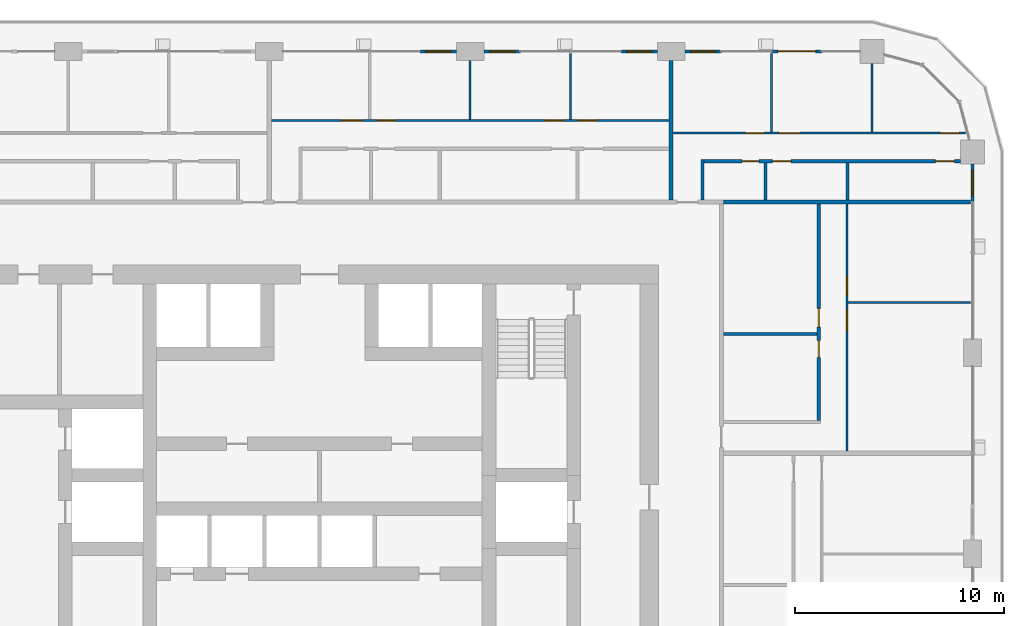
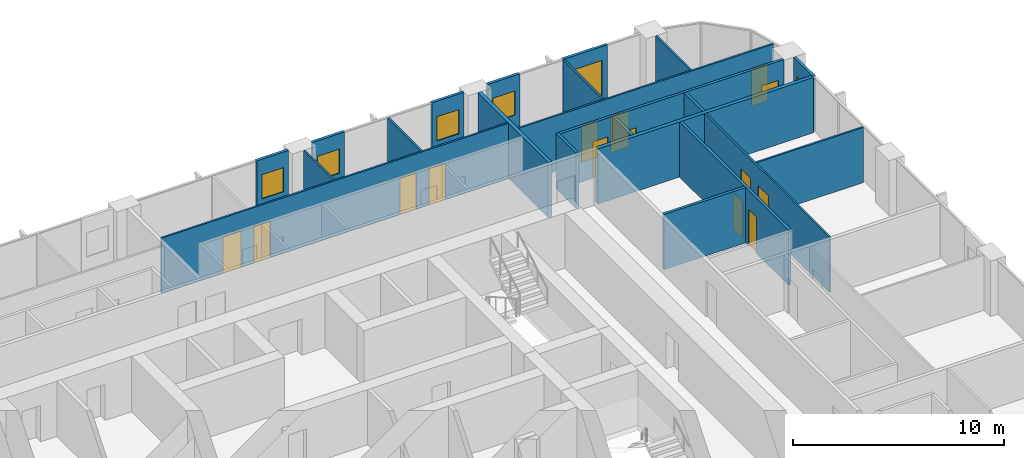
# One storey, part 15 of 22: 22 walls, 15 doors, 5 windows, 20 openings.
"""IFC4 building model written with IfcOpenShell, lengths in metres."""

from ifc_helpers import new_model, si_unit, direction, frame, frame_2d, origin, place, context, subcontext, project, spatial, rectangle, extrude, material, layer, layer_set, type_object, element, fill, save


model = new_model("IFC4")

# Units and contexts
model_context = context("Model", 3, precision=1e-05, world=origin(), true_north=direction((0.0, 1.0)))
body_context = subcontext(model_context, "Body", "Model", "MODEL_VIEW")
ifc_project = project(units=[si_unit("LENGTHUNIT", "METRE"), si_unit("AREAUNIT", "SQUARE_METRE"), si_unit("VOLUMEUNIT", "CUBIC_METRE"), si_unit("PLANEANGLEUNIT", "RADIAN"), si_unit("MASSUNIT", "GRAM", prefix="KILO")], contexts=[model_context])

# Site, building, storey
site_placement = place(None, origin())
site = spatial("IfcSite", under=ifc_project, at=site_placement, CompositionType="ELEMENT")
building_placement = place(site_placement, origin())
building = spatial("IfcBuilding", under=site, at=building_placement, Name="Madar Terraces", CompositionType="ELEMENT")
storey_placement = place(building_placement, frame((0.0, 0.0, 62.800048828125)))
storey = spatial("IfcBuildingStorey", under=building, at=storey_placement, Name="L15", CompositionType="ELEMENT", Elevation=62.800048828125)

# Wall, opening, window
ifc_material_1 = material(Name="Aluminium composite panel, black, over insulated backing", Category="aluminium")
ifc_layer_1 = layer(ifc_material_1, 0.14990234375)
ifc_layer_set_1 = layer_set([ifc_layer_1], Name="Facade bay panel 150")
wall_type_1 = type_object("IfcWallType", Name="Facade bay panel 150", PredefinedType="SOLIDWALL", material=ifc_layer_set_1)
wall_1_placement = place(storey_placement, frame((62.39990234375, 40.800048828125, 0.0), z_axis=(0.0, 0.0, 1.0), x_axis=(0.0, 1.0, 0.0)))
wall_1 = element("IfcWall", 1, at=wall_1_placement, inside=storey, type_object=wall_type_1, Name="Facade bay panel", PredefinedType="SOLIDWALL", context=body_context, shape_type="SweptSolid", body=[
    extrude(rectangle(XDim=1.824951171875, YDim=0.14990234375, at=frame_2d((0.91259765625, 0.0))), origin(), (0.0, 0.0, 1.0), 3.199951171875),
])
opening_1_placement = place(wall_1_placement, frame((0.3125, 0.0, 0.89990234375)))
opening_1 = element("IfcOpeningElement", 2, at=opening_1_placement, cuts=wall_1, Name="Opening W1", PredefinedType="OPENING", context=body_context, shape_type="SweptSolid", body=[
    extrude(rectangle(XDim=1.199951171875, YDim=1.39990234375, at=frame_2d((0.60009765625, 0.699951171875))), frame((0.0, 0.0849609375, 0.0), z_axis=(0.0, -1.0, 0.0), x_axis=(1.0, 0.0, 0.0)), (0.0, 0.0, 1.0), 0.169921875),
])
ifc_material_2 = material(Name="Glass, clear, with black aluminium frame", Category="aluminium")
window_type = type_object("IfcWindowType", Name="Vent window 1200 x 1400", PartitioningType="SINGLE_PANEL", PredefinedType="WINDOW", material=ifc_material_2)
window_1_placement = place(opening_1_placement, origin())
window_1 = element("IfcWindow", 3, at=window_1_placement, inside=storey, type_object=window_type, Name="Operable vent window", OverallHeight=1.39990234375, OverallWidth=1.199951171875, PartitioningType="SINGLE_PANEL", PredefinedType="WINDOW", context=body_context, shape_type="SweptSolid", body=[
    extrude(rectangle(XDim=1.199951171875, YDim=1.39990234375, at=frame_2d((0.60009765625, 0.699951171875))), frame((0.0, 0.030029296875, 0.0), z_axis=(0.0, -1.0, 0.0), x_axis=(1.0, 0.0, 0.0)), (0.0, 0.0, 1.0), 0.06005859375),
])
fill(opening_1, window_1)

# Wall, opening, door
wall_2_placement = place(storey_placement, frame((55.199951171875, 48.0, 0.0), z_axis=(0.0, 0.0, 1.0), x_axis=(-1.0, 0.0, 0.0)))
wall_2 = element("IfcWall", 4, at=wall_2_placement, inside=storey, type_object=wall_type_1, Name="Facade bay panel", PredefinedType="SOLIDWALL", context=body_context, shape_type="SweptSolid", body=[
    extrude(rectangle(XDim=2.39990234375, YDim=0.14990234375, at=frame_2d((1.199951171875, 0.0))), origin(), (0.0, 0.0, 1.0), 3.199951171875),
])
opening_2_placement = place(wall_2_placement, frame((0.300048828125, 0.0, 0.0)))
opening_2 = element("IfcOpeningElement", 5, at=opening_2_placement, cuts=wall_2, Name="Opening ED1", PredefinedType="OPENING", context=body_context, shape_type="SweptSolid", body=[
    extrude(rectangle(XDim=1.800048828125, YDim=2.39990234375, at=frame_2d((0.89990234375, 1.199951171875))), frame((0.0, 0.0849609375, 0.0), z_axis=(0.0, -1.0, 0.0), x_axis=(1.0, 0.0, 0.0)), (0.0, 0.0, 1.0), 0.169921875),
])
ifc_material_3 = material(Name="Glass, clear, with black aluminium frame", Category="aluminium")
door_type_1 = type_object("IfcDoorType", Name="Balcony and terrace sliding door 1800 x 2400", OperationType="SLIDING_TO_LEFT", PredefinedType="DOOR", material=ifc_material_3)
door_1_placement = place(opening_2_placement, origin())
door_1 = element("IfcDoor", 6, at=door_1_placement, inside=storey, type_object=door_type_1, Name="Balcony door", OperationType="SLIDING_TO_RIGHT", OverallHeight=2.39990234375, OverallWidth=1.800048828125, PredefinedType="DOOR", context=body_context, shape_type="SweptSolid", body=[
    extrude(rectangle(XDim=1.800048828125, YDim=2.39990234375, at=frame_2d((0.89990234375, 1.199951171875))), frame((0.0, 0.02490234375, 0.0), z_axis=(0.0, -1.0, 0.0), x_axis=(1.0, 0.0, 0.0)), (0.0, 0.0, 1.0), 0.050048828125),
])
fill(opening_2, door_1)

# Wall, opening, window
wall_3_placement = place(storey_placement, frame((50.39990234375, 48.0, 0.0), z_axis=(0.0, 0.0, 1.0), x_axis=(-1.0, 0.0, 0.0)))
wall_3 = element("IfcWall", 7, at=wall_3_placement, inside=storey, type_object=wall_type_1, Name="Facade bay panel", PredefinedType="SOLIDWALL", context=body_context, shape_type="SweptSolid", body=[
    extrude(rectangle(XDim=1.75, YDim=0.14990234375, at=frame_2d((0.875, 0.0))), origin(), (0.0, 0.0, 1.0), 3.199951171875),
])
opening_3_placement = place(wall_3_placement, frame((0.27490234375, 0.0, 0.89990234375)))
opening_3 = element("IfcOpeningElement", 8, at=opening_3_placement, cuts=wall_3, Name="Opening W1", PredefinedType="OPENING", context=body_context, shape_type="SweptSolid", body=[
    extrude(rectangle(XDim=1.199951171875, YDim=1.39990234375, at=frame_2d((0.60009765625, 0.699951171875))), frame((0.0, 0.0849609375, 0.0), z_axis=(0.0, -1.0, 0.0), x_axis=(1.0, 0.0, 0.0)), (0.0, 0.0, 1.0), 0.169921875),
])
window_2_placement = place(opening_3_placement, origin())
window_2 = element("IfcWindow", 9, at=window_2_placement, inside=storey, type_object=window_type, Name="Operable vent window", OverallHeight=1.39990234375, OverallWidth=1.199951171875, PartitioningType="SINGLE_PANEL", PredefinedType="WINDOW", context=body_context, shape_type="SweptSolid", body=[
    extrude(rectangle(XDim=1.199951171875, YDim=1.39990234375, at=frame_2d((0.60009765625, 0.699951171875))), frame((0.0, 0.030029296875, 0.0), z_axis=(0.0, -1.0, 0.0), x_axis=(1.0, 0.0, 0.0)), (0.0, 0.0, 1.0), 0.06005859375),
])
fill(opening_3, window_2)

wall_4_placement = place(storey_placement, frame((47.35009765625, 48.0, 0.0), z_axis=(0.0, 0.0, 1.0), x_axis=(-1.0, 0.0, 0.0)))
wall_4 = element("IfcWall", 10, at=wall_4_placement, inside=storey, type_object=wall_type_1, Name="Facade bay panel", PredefinedType="SOLIDWALL", context=body_context, shape_type="SweptSolid", body=[
    extrude(rectangle(XDim=1.75, YDim=0.14990234375, at=frame_2d((0.875, 0.0))), origin(), (0.0, 0.0, 1.0), 3.199951171875),
])
opening_4_placement = place(wall_4_placement, frame((0.27490234375, 0.0, 0.89990234375)))
opening_4 = element("IfcOpeningElement", 11, at=opening_4_placement, cuts=wall_4, Name="Opening W1", PredefinedType="OPENING", context=body_context, shape_type="SweptSolid", body=[
    extrude(rectangle(XDim=1.199951171875, YDim=1.39990234375, at=frame_2d((0.60009765625, 0.699951171875))), frame((0.0, 0.0849609375, 0.0), z_axis=(0.0, -1.0, 0.0), x_axis=(1.0, 0.0, 0.0)), (0.0, 0.0, 1.0), 0.169921875),
])
window_3_placement = place(opening_4_placement, origin())
window_3 = element("IfcWindow", 12, at=window_3_placement, inside=storey, type_object=window_type, Name="Operable vent window", OverallHeight=1.39990234375, OverallWidth=1.199951171875, PartitioningType="SINGLE_PANEL", PredefinedType="WINDOW", context=body_context, shape_type="SweptSolid", body=[
    extrude(rectangle(XDim=1.199951171875, YDim=1.39990234375, at=frame_2d((0.60009765625, 0.699951171875))), frame((0.0, 0.030029296875, 0.0), z_axis=(0.0, -1.0, 0.0), x_axis=(1.0, 0.0, 0.0)), (0.0, 0.0, 1.0), 0.06005859375),
])
fill(opening_4, window_3)

wall_5_placement = place(storey_placement, frame((40.800048828125, 48.0, 0.0), z_axis=(0.0, 0.0, 1.0), x_axis=(-1.0, 0.0, 0.0)))
wall_5 = element("IfcWall", 13, at=wall_5_placement, inside=storey, type_object=wall_type_1, Name="Facade bay panel", PredefinedType="SOLIDWALL", context=body_context, shape_type="SweptSolid", body=[
    extrude(rectangle(XDim=1.75, YDim=0.14990234375, at=frame_2d((0.875, 0.0))), origin(), (0.0, 0.0, 1.0), 3.199951171875),
])
opening_5_placement = place(wall_5_placement, frame((0.27490234375, 0.0, 0.89990234375)))
opening_5 = element("IfcOpeningElement", 14, at=opening_5_placement, cuts=wall_5, Name="Opening W1", PredefinedType="OPENING", context=body_context, shape_type="SweptSolid", body=[
    extrude(rectangle(XDim=1.199951171875, YDim=1.39990234375, at=frame_2d((0.60009765625, 0.699951171875))), frame((0.0, 0.0849609375, 0.0), z_axis=(0.0, -1.0, 0.0), x_axis=(1.0, 0.0, 0.0)), (0.0, 0.0, 1.0), 0.169921875),
])
window_4_placement = place(opening_5_placement, origin())
window_4 = element("IfcWindow", 15, at=window_4_placement, inside=storey, type_object=window_type, Name="Operable vent window", OverallHeight=1.39990234375, OverallWidth=1.199951171875, PartitioningType="SINGLE_PANEL", PredefinedType="WINDOW", context=body_context, shape_type="SweptSolid", body=[
    extrude(rectangle(XDim=1.199951171875, YDim=1.39990234375, at=frame_2d((0.60009765625, 0.699951171875))), frame((0.0, 0.030029296875, 0.0), z_axis=(0.0, -1.0, 0.0), x_axis=(1.0, 0.0, 0.0)), (0.0, 0.0, 1.0), 0.06005859375),
])
fill(opening_5, window_4)

wall_6_placement = place(storey_placement, frame((37.75, 48.0, 0.0), z_axis=(0.0, 0.0, 1.0), x_axis=(-1.0, 0.0, 0.0)))
wall_6 = element("IfcWall", 16, at=wall_6_placement, inside=storey, type_object=wall_type_1, Name="Facade bay panel", PredefinedType="SOLIDWALL", context=body_context, shape_type="SweptSolid", body=[
    extrude(rectangle(XDim=1.75, YDim=0.14990234375, at=frame_2d((0.875, 0.0))), origin(), (0.0, 0.0, 1.0), 3.199951171875),
])
opening_6_placement = place(wall_6_placement, frame((0.27490234375, 0.0, 0.89990234375)))
opening_6 = element("IfcOpeningElement", 17, at=opening_6_placement, cuts=wall_6, Name="Opening W1", PredefinedType="OPENING", context=body_context, shape_type="SweptSolid", body=[
    extrude(rectangle(XDim=1.199951171875, YDim=1.39990234375, at=frame_2d((0.60009765625, 0.699951171875))), frame((0.0, 0.0849609375, 0.0), z_axis=(0.0, -1.0, 0.0), x_axis=(1.0, 0.0, 0.0)), (0.0, 0.0, 1.0), 0.169921875),
])
window_5_placement = place(opening_6_placement, origin())
window_5 = element("IfcWindow", 18, at=window_5_placement, inside=storey, type_object=window_type, Name="Operable vent window", OverallHeight=1.39990234375, OverallWidth=1.199951171875, PartitioningType="SINGLE_PANEL", PredefinedType="WINDOW", context=body_context, shape_type="SweptSolid", body=[
    extrude(rectangle(XDim=1.199951171875, YDim=1.39990234375, at=frame_2d((0.60009765625, 0.699951171875))), frame((0.0, 0.030029296875, 0.0), z_axis=(0.0, -1.0, 0.0), x_axis=(1.0, 0.0, 0.0)), (0.0, 0.0, 1.0), 0.06005859375),
])
fill(opening_6, window_5)

# Wall
ifc_material_4 = material(Name="Gypsum board on steel studs", Category="steel")
ifc_layer_2 = layer(ifc_material_4, 0.10009765625)
ifc_layer_set_2 = layer_set([ifc_layer_2], Name="Flat partition 100")
wall_type_2 = type_object("IfcWallType", Name="Flat partition 100", PredefinedType="PARTITIONING", material=ifc_layer_set_2)
wall_7_placement = place(storey_placement, frame((56.449951171875, 36.0, 0.0), z_axis=(0.0, 0.0, 1.0), x_axis=(1.0, 0.0, 0.0)))
element("IfcWall", 19, at=wall_7_placement, inside=storey, type_object=wall_type_2, Name="Flat partition 100", PredefinedType="PARTITIONING", context=body_context, shape_type="SweptSolid", body=[
    extrude(rectangle(XDim=5.85009765625, YDim=0.10009765625, at=frame_2d((2.925048828125, 0.0))), origin(), (0.0, 0.0, 1.0), 3.199951171875),
])

# Wall, openings, doors
wall_8_placement = place(storey_placement, frame((56.39990234375, 40.699951171875, 0.0), z_axis=(0.0, 0.0, 1.0), x_axis=(0.0, -1.0, 0.0)))
wall_8 = element("IfcWall", 20, at=wall_8_placement, inside=storey, type_object=wall_type_2, Name="Flat partition 100", PredefinedType="PARTITIONING", context=body_context, shape_type="SweptSolid", body=[
    extrude(rectangle(XDim=11.800048828125, YDim=0.10009765625, at=frame_2d((5.89990234375, 0.0))), origin(), (0.0, 0.0, 1.0), 3.199951171875),
])
opening_7_placement = place(wall_8_placement, frame((5.050048828125, 0.0, 0.0)))
opening_7 = element("IfcOpeningElement", 21, at=opening_7_placement, cuts=wall_8, Name="Opening D3", PredefinedType="OPENING", context=body_context, shape_type="SweptSolid", body=[
    extrude(rectangle(XDim=1.0, YDim=2.10009765625, at=frame_2d((0.5, 1.050048828125))), frame((0.0, 0.06005859375, 0.0), z_axis=(0.0, -1.0, 0.0), x_axis=(1.0, 0.0, 0.0)), (0.0, 0.0, 1.0), 0.1201171875),
])
opening_8_placement = place(wall_8_placement, frame((3.449951171875, 0.0, 0.0)))
opening_8 = element("IfcOpeningElement", 22, at=opening_8_placement, cuts=wall_8, Name="Opening D2", PredefinedType="OPENING", context=body_context, shape_type="SweptSolid", body=[
    extrude(rectangle(XDim=0.89990234375, YDim=2.10009765625, at=frame_2d((0.449951171875, 1.050048828125))), frame((0.0, 0.06005859375, 0.0), z_axis=(0.0, -1.0, 0.0), x_axis=(1.0, 0.0, 0.0)), (0.0, 0.0, 1.0), 0.1201171875),
])
ifc_material_5 = material(Name="Timber door leaf", Category="wood")
door_type_2 = type_object("IfcDoorType", Name="Flat living room door 1000", OperationType="NOTDEFINED", PredefinedType="DOOR", material=ifc_material_5)
door_2_placement = place(opening_7_placement, origin())
door_2 = element("IfcDoor", 23, at=door_2_placement, inside=storey, type_object=door_type_2, Name="Flat living room door 1000", OperationType="SINGLE_SWING_LEFT", OverallHeight=2.10009765625, OverallWidth=1.0, PredefinedType="DOOR", context=body_context, shape_type="SweptSolid", body=[
    extrude(rectangle(XDim=1.0, YDim=2.10009765625, at=frame_2d((0.5, 1.050048828125))), frame((0.0, 0.02490234375, 0.0), z_axis=(0.0, -1.0, 0.0), x_axis=(1.0, 0.0, 0.0)), (0.0, 0.0, 1.0), 0.050048828125),
])
fill(opening_7, door_2)
ifc_material_6 = material(Name="Timber door leaf", Category="wood")
door_type_3 = type_object("IfcDoorType", Name="Flat room door 900", OperationType="NOTDEFINED", PredefinedType="DOOR", material=ifc_material_6)
door_3_placement = place(opening_8_placement, origin())
door_3 = element("IfcDoor", 24, at=door_3_placement, inside=storey, type_object=door_type_3, Name="Flat room door 900", OperationType="SINGLE_SWING_RIGHT", OverallHeight=2.10009765625, OverallWidth=0.89990234375, PredefinedType="DOOR", context=body_context, shape_type="SweptSolid", body=[
    extrude(rectangle(XDim=0.89990234375, YDim=2.10009765625, at=frame_2d((0.449951171875, 1.050048828125))), frame((0.0, 0.02490234375, 0.0), z_axis=(0.0, -1.0, 0.0), x_axis=(1.0, 0.0, 0.0)), (0.0, 0.0, 1.0), 0.050048828125),
])
fill(opening_8, door_3)

# Walls
wall_9_placement = place(storey_placement, frame((52.800048828125, 44.14990234375, 0.0), z_axis=(0.0, 0.0, 1.0), x_axis=(0.0, 1.0, 0.0)))
element("IfcWall", 25, at=wall_9_placement, inside=storey, type_object=wall_type_2, Name="Flat partition 100", PredefinedType="PARTITIONING", context=body_context, shape_type="SweptSolid", body=[
    extrude(rectangle(XDim=3.75, YDim=0.10009765625, at=frame_2d((1.875, 0.0))), origin(), (0.0, 0.0, 1.0), 3.199951171875),
])
wall_10_placement = place(storey_placement, frame((57.60009765625, 44.14990234375, 0.0), z_axis=(0.0, 0.0, 1.0), x_axis=(0.0, 1.0, 0.0)))
element("IfcWall", 26, at=wall_10_placement, inside=storey, type_object=wall_type_2, Name="Flat partition 100", PredefinedType="PARTITIONING", context=body_context, shape_type="SweptSolid", body=[
    extrude(rectangle(XDim=3.275146484375, YDim=0.10009765625, at=frame_2d((1.6376953125, 0.0))), origin(), (0.0, 0.0, 1.0), 3.199951171875),
])

# Wall, openings, doors
wall_11_placement = place(storey_placement, frame((48.10009765625, 44.10009765625, 0.0), z_axis=(0.0, 0.0, 1.0), x_axis=(1.0, 0.0, 0.0)))
wall_11 = element("IfcWall", 27, at=wall_11_placement, inside=storey, type_object=wall_type_2, Name="Flat partition 100", PredefinedType="PARTITIONING", context=body_context, shape_type="SweptSolid", body=[
    extrude(rectangle(XDim=13.958740234375, YDim=0.10009765625, at=frame_2d((6.9794921875, 0.0))), origin(), (0.0, 0.0, 1.0), 3.199951171875),
])
opening_9_placement = place(wall_11_placement, frame((3.449951171875, 0.0, 0.0)))
opening_9 = element("IfcOpeningElement", 28, at=opening_9_placement, cuts=wall_11, Name="Opening D2", PredefinedType="OPENING", context=body_context, shape_type="SweptSolid", body=[
    extrude(rectangle(XDim=0.89990234375, YDim=2.10009765625, at=frame_2d((0.449951171875, 1.050048828125))), frame((0.0, 0.06005859375, 0.0), z_axis=(0.0, -1.0, 0.0), x_axis=(1.0, 0.0, 0.0)), (0.0, 0.0, 1.0), 0.1201171875),
])
opening_10_placement = place(wall_11_placement, frame((5.050048828125, 0.0, 0.0)))
opening_10 = element("IfcOpeningElement", 29, at=opening_10_placement, cuts=wall_11, Name="Opening D3", PredefinedType="OPENING", context=body_context, shape_type="SweptSolid", body=[
    extrude(rectangle(XDim=1.0, YDim=2.10009765625, at=frame_2d((0.5, 1.050048828125))), frame((0.0, 0.06005859375, 0.0), z_axis=(0.0, -1.0, 0.0), x_axis=(1.0, 0.0, 0.0)), (0.0, 0.0, 1.0), 0.1201171875),
])
opening_11_placement = place(wall_11_placement, frame((12.7587890625, 0.0, 0.0)))
opening_11 = element("IfcOpeningElement", 30, at=opening_11_placement, cuts=wall_11, Name="Opening D2", PredefinedType="OPENING", context=body_context, shape_type="SweptSolid", body=[
    extrude(rectangle(XDim=0.89990234375, YDim=2.10009765625, at=frame_2d((0.449951171875, 1.050048828125))), frame((0.0, 0.06005859375, 0.0), z_axis=(0.0, -1.0, 0.0), x_axis=(1.0, 0.0, 0.0)), (0.0, 0.0, 1.0), 0.1201171875),
])
door_4_placement = place(opening_10_placement, origin())
door_4 = element("IfcDoor", 31, at=door_4_placement, inside=storey, type_object=door_type_2, Name="Flat living room door 1000", OperationType="SINGLE_SWING_LEFT", OverallHeight=2.10009765625, OverallWidth=1.0, PredefinedType="DOOR", context=body_context, shape_type="SweptSolid", body=[
    extrude(rectangle(XDim=1.0, YDim=2.10009765625, at=frame_2d((0.5, 1.050048828125))), frame((0.0, 0.02490234375, 0.0), z_axis=(0.0, -1.0, 0.0), x_axis=(1.0, 0.0, 0.0)), (0.0, 0.0, 1.0), 0.050048828125),
])
fill(opening_10, door_4)
door_5_placement = place(opening_9_placement, origin())
door_5 = element("IfcDoor", 32, at=door_5_placement, inside=storey, type_object=door_type_3, Name="Flat room door 900", OperationType="SINGLE_SWING_RIGHT", OverallHeight=2.10009765625, OverallWidth=0.89990234375, PredefinedType="DOOR", context=body_context, shape_type="SweptSolid", body=[
    extrude(rectangle(XDim=0.89990234375, YDim=2.10009765625, at=frame_2d((0.449951171875, 1.050048828125))), frame((0.0, 0.02490234375, 0.0), z_axis=(0.0, -1.0, 0.0), x_axis=(1.0, 0.0, 0.0)), (0.0, 0.0, 1.0), 0.050048828125),
])
fill(opening_9, door_5)
door_6_placement = place(opening_11_placement, origin())
door_6 = element("IfcDoor", 33, at=door_6_placement, inside=storey, type_object=door_type_3, Name="Flat room door 900", OperationType="SINGLE_SWING_RIGHT", OverallHeight=2.10009765625, OverallWidth=0.89990234375, PredefinedType="DOOR", context=body_context, shape_type="SweptSolid", body=[
    extrude(rectangle(XDim=0.89990234375, YDim=2.10009765625, at=frame_2d((0.449951171875, 1.050048828125))), frame((0.0, 0.02490234375, 0.0), z_axis=(0.0, -1.0, 0.0), x_axis=(1.0, 0.0, 0.0)), (0.0, 0.0, 1.0), 0.050048828125),
])
fill(opening_11, door_6)

# Walls
wall_12_placement = place(storey_placement, frame((38.39990234375, 44.75, 0.0), z_axis=(0.0, 0.0, 1.0), x_axis=(0.0, 1.0, 0.0)))
element("IfcWall", 34, at=wall_12_placement, inside=storey, type_object=wall_type_2, Name="Flat partition 100", PredefinedType="PARTITIONING", context=body_context, shape_type="SweptSolid", body=[
    extrude(rectangle(XDim=2.824951171875, YDim=0.10009765625, at=frame_2d((1.41259765625, 0.0))), origin(), (0.0, 0.0, 1.0), 3.199951171875),
])
wall_13_placement = place(storey_placement, frame((43.199951171875, 44.75, 0.0), z_axis=(0.0, 0.0, 1.0), x_axis=(0.0, 1.0, 0.0)))
element("IfcWall", 35, at=wall_13_placement, inside=storey, type_object=wall_type_2, Name="Flat partition 100", PredefinedType="PARTITIONING", context=body_context, shape_type="SweptSolid", body=[
    extrude(rectangle(XDim=3.14990234375, YDim=0.10009765625, at=frame_2d((1.574951171875, 0.0))), origin(), (0.0, 0.0, 1.0), 3.199951171875),
])

# Wall, openings, doors
wall_14_placement = place(storey_placement, frame((28.89990234375, 44.699951171875, 0.0), z_axis=(0.0, 0.0, 1.0), x_axis=(1.0, 0.0, 0.0)))
wall_14 = element("IfcWall", 36, at=wall_14_placement, inside=storey, type_object=wall_type_2, Name="Flat partition 100", PredefinedType="PARTITIONING", context=body_context, shape_type="SweptSolid", body=[
    extrude(rectangle(XDim=19.0, YDim=0.10009765625, at=frame_2d((9.5, 0.0))), origin(), (0.0, 0.0, 1.0), 3.199951171875),
])
opening_12_placement = place(wall_14_placement, frame((3.35009765625, 0.0, 0.0)))
opening_12 = element("IfcOpeningElement", 37, at=opening_12_placement, cuts=wall_14, Name="Opening D3", PredefinedType="OPENING", context=body_context, shape_type="SweptSolid", body=[
    extrude(rectangle(XDim=1.0, YDim=2.10009765625, at=frame_2d((0.5, 1.050048828125))), frame((0.0, 0.06005859375, 0.0), z_axis=(0.0, -1.0, 0.0), x_axis=(1.0, 0.0, 0.0)), (0.0, 0.0, 1.0), 0.1201171875),
])
opening_13_placement = place(wall_14_placement, frame((5.050048828125, 0.0, 0.0)))
opening_13 = element("IfcOpeningElement", 38, at=opening_13_placement, cuts=wall_14, Name="Opening D2", PredefinedType="OPENING", context=body_context, shape_type="SweptSolid", body=[
    extrude(rectangle(XDim=0.89990234375, YDim=2.10009765625, at=frame_2d((0.449951171875, 1.050048828125))), frame((0.0, 0.06005859375, 0.0), z_axis=(0.0, -1.0, 0.0), x_axis=(1.0, 0.0, 0.0)), (0.0, 0.0, 1.0), 0.1201171875),
])
opening_14_placement = place(wall_14_placement, frame((13.050048828125, 0.0, 0.0)))
opening_14 = element("IfcOpeningElement", 39, at=opening_14_placement, cuts=wall_14, Name="Opening D2", PredefinedType="OPENING", context=body_context, shape_type="SweptSolid", body=[
    extrude(rectangle(XDim=0.89990234375, YDim=2.10009765625, at=frame_2d((0.449951171875, 1.050048828125))), frame((0.0, 0.06005859375, 0.0), z_axis=(0.0, -1.0, 0.0), x_axis=(1.0, 0.0, 0.0)), (0.0, 0.0, 1.0), 0.1201171875),
])
opening_15_placement = place(wall_14_placement, frame((14.64990234375, 0.0, 0.0)))
opening_15 = element("IfcOpeningElement", 40, at=opening_15_placement, cuts=wall_14, Name="Opening D2", PredefinedType="OPENING", context=body_context, shape_type="SweptSolid", body=[
    extrude(rectangle(XDim=0.89990234375, YDim=2.10009765625, at=frame_2d((0.449951171875, 1.050048828125))), frame((0.0, 0.06005859375, 0.0), z_axis=(0.0, -1.0, 0.0), x_axis=(1.0, 0.0, 0.0)), (0.0, 0.0, 1.0), 0.1201171875),
])
door_7_placement = place(opening_12_placement, origin())
door_7 = element("IfcDoor", 41, at=door_7_placement, inside=storey, type_object=door_type_2, Name="Flat living room door 1000", OperationType="SINGLE_SWING_RIGHT", OverallHeight=2.10009765625, OverallWidth=1.0, PredefinedType="DOOR", context=body_context, shape_type="SweptSolid", body=[
    extrude(rectangle(XDim=1.0, YDim=2.10009765625, at=frame_2d((0.5, 1.050048828125))), frame((0.0, 0.02490234375, 0.0), z_axis=(0.0, -1.0, 0.0), x_axis=(1.0, 0.0, 0.0)), (0.0, 0.0, 1.0), 0.050048828125),
])
fill(opening_12, door_7)
door_8_placement = place(opening_13_placement, origin())
door_8 = element("IfcDoor", 42, at=door_8_placement, inside=storey, type_object=door_type_3, Name="Flat room door 900", OperationType="SINGLE_SWING_LEFT", OverallHeight=2.10009765625, OverallWidth=0.89990234375, PredefinedType="DOOR", context=body_context, shape_type="SweptSolid", body=[
    extrude(rectangle(XDim=0.89990234375, YDim=2.10009765625, at=frame_2d((0.449951171875, 1.050048828125))), frame((0.0, 0.02490234375, 0.0), z_axis=(0.0, -1.0, 0.0), x_axis=(1.0, 0.0, 0.0)), (0.0, 0.0, 1.0), 0.050048828125),
])
fill(opening_13, door_8)
door_9_placement = place(opening_14_placement, origin())
door_9 = element("IfcDoor", 43, at=door_9_placement, inside=storey, type_object=door_type_3, Name="Flat room door 900", OperationType="SINGLE_SWING_RIGHT", OverallHeight=2.10009765625, OverallWidth=0.89990234375, PredefinedType="DOOR", context=body_context, shape_type="SweptSolid", body=[
    extrude(rectangle(XDim=0.89990234375, YDim=2.10009765625, at=frame_2d((0.449951171875, 1.050048828125))), frame((0.0, 0.02490234375, 0.0), z_axis=(0.0, -1.0, 0.0), x_axis=(1.0, 0.0, 0.0)), (0.0, 0.0, 1.0), 0.050048828125),
])
fill(opening_14, door_9)
door_10_placement = place(opening_15_placement, origin())
door_10 = element("IfcDoor", 44, at=door_10_placement, inside=storey, type_object=door_type_3, Name="Flat room door 900", OperationType="SINGLE_SWING_LEFT", OverallHeight=2.10009765625, OverallWidth=0.89990234375, PredefinedType="DOOR", context=body_context, shape_type="SweptSolid", body=[
    extrude(rectangle(XDim=0.89990234375, YDim=2.10009765625, at=frame_2d((0.449951171875, 1.050048828125))), frame((0.0, 0.02490234375, 0.0), z_axis=(0.0, -1.0, 0.0), x_axis=(1.0, 0.0, 0.0)), (0.0, 0.0, 1.0), 0.050048828125),
])
fill(opening_15, door_10)

# Walls
ifc_material_7 = material(Name="Lightweight blockwork", Category="masonry")
ifc_layer_3 = layer(ifc_material_7, 0.199951171875)
ifc_layer_set_3 = layer_set([ifc_layer_3], Name="Flat party and entrance wall 200")
wall_type_3 = type_object("IfcWallType", Name="Flat party and entrance wall 200", PredefinedType="PARTITIONING", material=ifc_layer_set_3)
wall_15_placement = place(storey_placement, frame((50.5, 40.800048828125, 0.0), z_axis=(0.0, 0.0, 1.0), x_axis=(1.0, 0.0, 0.0)))
element("IfcWall", 45, at=wall_15_placement, inside=storey, type_object=wall_type_3, Name="Flat party and entrance wall 200", PredefinedType="PARTITIONING", context=body_context, shape_type="SweptSolid", body=[
    extrude(rectangle(XDim=11.800048828125, YDim=0.199951171875, at=frame_2d((5.89990234375, 0.0))), origin(), (0.0, 0.0, 1.0), 3.199951171875),
])
wall_16_placement = place(storey_placement, frame((48.0, 47.574951171875, 0.0), z_axis=(0.0, 0.0, 1.0), x_axis=(0.0, -1.0, 0.0)))
element("IfcWall", 46, at=wall_16_placement, inside=storey, type_object=wall_type_3, Name="Flat party and entrance wall 200", PredefinedType="PARTITIONING", context=body_context, shape_type="SweptSolid", body=[
    extrude(rectangle(XDim=6.675048828125, YDim=0.199951171875, at=frame_2d((3.33740234375, 0.0))), origin(), (0.0, 0.0, 1.0), 3.199951171875),
])
ifc_material_8 = material(Name="Lightweight blockwork", Category="masonry")
ifc_layer_4 = layer(ifc_material_8, 0.14990234375)
ifc_layer_set_4 = layer_set([ifc_layer_4], Name="Flat wet-room partition 150")
wall_type_4 = type_object("IfcWallType", Name="Flat wet-room partition 150", PredefinedType="PARTITIONING", material=ifc_layer_set_4)
wall_17_placement = place(storey_placement, frame((50.5, 34.5048828125, 0.0), z_axis=(0.0, 0.0, 1.0), x_axis=(1.0, 0.0, 0.0)))
element("IfcWall", 47, at=wall_17_placement, inside=storey, type_object=wall_type_4, Name="Flat wet-room partition 150", PredefinedType="PARTITIONING", context=body_context, shape_type="SweptSolid", body=[
    extrude(rectangle(XDim=4.47509765625, YDim=0.14990234375, at=frame_2d((2.237548828125, 0.0))), origin(), (0.0, 0.0, 1.0), 3.199951171875),
])

# Wall, openings, doors
wall_18_placement = place(storey_placement, frame((55.050048828125, 30.375, 0.0), z_axis=(0.0, 0.0, 1.0), x_axis=(0.0, 1.0, 0.0)))
wall_18 = element("IfcWall", 48, at=wall_18_placement, inside=storey, type_object=wall_type_4, Name="Flat wet-room partition 150", PredefinedType="PARTITIONING", context=body_context, shape_type="SweptSolid", body=[
    extrude(rectangle(XDim=10.324951171875, YDim=0.14990234375, at=frame_2d((5.16259765625, 0.0))), origin(), (0.0, 0.0, 1.0), 3.199951171875),
])
opening_16_placement = place(wall_18_placement, frame((3.0048828125, 0.0, 0.0)))
opening_16 = element("IfcOpeningElement", 49, at=opening_16_placement, cuts=wall_18, Name="Opening D4", PredefinedType="OPENING", context=body_context, shape_type="SweptSolid", body=[
    extrude(rectangle(XDim=0.800048828125, YDim=2.10009765625, at=frame_2d((0.39990234375, 1.050048828125))), frame((0.0, 0.0849609375, 0.0), z_axis=(0.0, -1.0, 0.0), x_axis=(1.0, 0.0, 0.0)), (0.0, 0.0, 1.0), 0.169921875),
])
opening_17_placement = place(wall_18_placement, frame((4.455078125, 0.0, 0.0)))
opening_17 = element("IfcOpeningElement", 50, at=opening_17_placement, cuts=wall_18, Name="Opening D2", PredefinedType="OPENING", context=body_context, shape_type="SweptSolid", body=[
    extrude(rectangle(XDim=0.89990234375, YDim=2.10009765625, at=frame_2d((0.449951171875, 1.050048828125))), frame((0.0, 0.0849609375, 0.0), z_axis=(0.0, -1.0, 0.0), x_axis=(1.0, 0.0, 0.0)), (0.0, 0.0, 1.0), 0.169921875),
])
ifc_material_9 = material(Name="Timber door leaf", Category="wood")
door_type_4 = type_object("IfcDoorType", Name="Flat bathroom door 800", OperationType="NOTDEFINED", PredefinedType="DOOR", material=ifc_material_9)
door_11_placement = place(opening_16_placement, origin())
door_11 = element("IfcDoor", 51, at=door_11_placement, inside=storey, type_object=door_type_4, Name="Flat bathroom door 800", OperationType="SINGLE_SWING_RIGHT", OverallHeight=2.10009765625, OverallWidth=0.800048828125, PredefinedType="DOOR", context=body_context, shape_type="SweptSolid", body=[
    extrude(rectangle(XDim=0.800048828125, YDim=2.10009765625, at=frame_2d((0.39990234375, 1.050048828125))), frame((0.0, 0.02490234375, 0.0), z_axis=(0.0, -1.0, 0.0), x_axis=(1.0, 0.0, 0.0)), (0.0, 0.0, 1.0), 0.050048828125),
])
fill(opening_16, door_11)
door_12_placement = place(opening_17_placement, origin())
door_12 = element("IfcDoor", 52, at=door_12_placement, inside=storey, type_object=door_type_3, Name="Flat room door 900", OperationType="SINGLE_SWING_LEFT", OverallHeight=2.10009765625, OverallWidth=0.89990234375, PredefinedType="DOOR", context=body_context, shape_type="SweptSolid", body=[
    extrude(rectangle(XDim=0.89990234375, YDim=2.10009765625, at=frame_2d((0.449951171875, 1.050048828125))), frame((0.0, 0.02490234375, 0.0), z_axis=(0.0, -1.0, 0.0), x_axis=(1.0, 0.0, 0.0)), (0.0, 0.0, 1.0), 0.050048828125),
])
fill(opening_17, door_12)

# Walls
for number, where, z_axis, x_axis, name in (
    (53, (52.511474609375, 40.89990234375, 0.0), (0.0, 0.0, 1.0), (0.0, 1.0, 0.0), "Flat wet-room partition 150"),
    (54, (56.427001953125, 40.89990234375, 0.0), (0.0, 0.0, 1.0), (0.0, 1.0, 0.0), "Flat wet-room partition 150"),
):
    element("IfcWall", number, at=place(storey_placement, frame(where, z_axis=z_axis, x_axis=x_axis)), inside=storey, type_object=wall_type_4, Name=name, PredefinedType="PARTITIONING", context=body_context, shape_type="SweptSolid", body=[
        extrude(rectangle(XDim=1.775146484375, YDim=0.14990234375, at=frame_2d((0.8876953125, 0.0))), origin(), (0.0, 0.0, 1.0), 3.199951171875),
    ])
wall_19_placement = place(storey_placement, frame((49.5, 40.89990234375, 0.0), z_axis=(0.0, 0.0, 1.0), x_axis=(0.0, 1.0, 0.0)))
element("IfcWall", 55, at=wall_19_placement, inside=storey, type_object=wall_type_4, Name="Flat wet-room partition 150", PredefinedType="PARTITIONING", context=body_context, shape_type="SweptSolid", body=[
    extrude(rectangle(XDim=1.925048828125, YDim=0.14990234375, at=frame_2d((0.96240234375, 0.0))), origin(), (0.0, 0.0, 1.0), 3.199951171875),
])

# Wall, openings, doors
wall_20_placement = place(storey_placement, frame((61.824951171875, 42.75, 0.0), z_axis=(0.0, 0.0, 1.0), x_axis=(-1.0, 0.0, 0.0)))
wall_20 = element("IfcWall", 56, at=wall_20_placement, inside=storey, type_object=wall_type_4, Name="Flat wet-room partition 150", PredefinedType="PARTITIONING", context=body_context, shape_type="SweptSolid", body=[
    extrude(rectangle(XDim=12.25, YDim=0.14990234375, at=frame_2d((6.125, 0.0))), origin(), (0.0, 0.0, 1.0), 3.199951171875),
])
opening_18_placement = place(wall_20_placement, frame((9.638427734375, 0.0, 0.0)))
opening_18 = element("IfcOpeningElement", 57, at=opening_18_placement, cuts=wall_20, Name="Opening D4", PredefinedType="OPENING", context=body_context, shape_type="SweptSolid", body=[
    extrude(rectangle(XDim=0.800048828125, YDim=2.10009765625, at=frame_2d((0.39990234375, 1.050048828125))), frame((0.0, 0.0849609375, 0.0), z_axis=(0.0, -1.0, 0.0), x_axis=(1.0, 0.0, 0.0)), (0.0, 0.0, 1.0), 0.169921875),
])
opening_19_placement = place(wall_20_placement, frame((8.08837890625, 0.0, 0.0)))
opening_19 = element("IfcOpeningElement", 58, at=opening_19_placement, cuts=wall_20, Name="Opening D5", PredefinedType="OPENING", context=body_context, shape_type="SweptSolid", body=[
    extrude(rectangle(XDim=0.89990234375, YDim=2.10009765625, at=frame_2d((0.449951171875, 1.050048828125))), frame((0.0, 0.0849609375, 0.0), z_axis=(0.0, -1.0, 0.0), x_axis=(1.0, 0.0, 0.0)), (0.0, 0.0, 1.0), 0.169921875),
])
opening_20_placement = place(wall_20_placement, frame((0.300048828125, 0.0, 0.0)))
opening_20 = element("IfcOpeningElement", 59, at=opening_20_placement, cuts=wall_20, Name="Opening D2", PredefinedType="OPENING", context=body_context, shape_type="SweptSolid", body=[
    extrude(rectangle(XDim=0.89990234375, YDim=2.10009765625, at=frame_2d((0.449951171875, 1.050048828125))), frame((0.0, 0.0849609375, 0.0), z_axis=(0.0, -1.0, 0.0), x_axis=(1.0, 0.0, 0.0)), (0.0, 0.0, 1.0), 0.169921875),
])
ifc_material_10 = material(Name="Timber door leaf", Category="wood")
door_type_5 = type_object("IfcDoorType", Name="Flat accessible bathroom door 900", OperationType="NOTDEFINED", PredefinedType="DOOR", material=ifc_material_10)
door_13_placement = place(opening_19_placement, origin())
door_13 = element("IfcDoor", 60, at=door_13_placement, inside=storey, type_object=door_type_5, Name="Flat accessible bathroom door 900", OperationType="SINGLE_SWING_RIGHT", OverallHeight=2.10009765625, OverallWidth=0.89990234375, PredefinedType="DOOR", context=body_context, shape_type="SweptSolid", body=[
    extrude(rectangle(XDim=0.89990234375, YDim=2.10009765625, at=frame_2d((0.449951171875, 1.050048828125))), frame((0.0, 0.02490234375, 0.0), z_axis=(0.0, -1.0, 0.0), x_axis=(1.0, 0.0, 0.0)), (0.0, 0.0, 1.0), 0.050048828125),
])
fill(opening_19, door_13)
door_14_placement = place(opening_18_placement, origin())
door_14 = element("IfcDoor", 61, at=door_14_placement, inside=storey, type_object=door_type_4, Name="Flat bathroom door 800", OperationType="SINGLE_SWING_LEFT", OverallHeight=2.10009765625, OverallWidth=0.800048828125, PredefinedType="DOOR", context=body_context, shape_type="SweptSolid", body=[
    extrude(rectangle(XDim=0.800048828125, YDim=2.10009765625, at=frame_2d((0.39990234375, 1.050048828125))), frame((0.0, 0.02490234375, 0.0), z_axis=(0.0, -1.0, 0.0), x_axis=(1.0, 0.0, 0.0)), (0.0, 0.0, 1.0), 0.050048828125),
])
fill(opening_18, door_14)
door_15_placement = place(opening_20_placement, origin())
door_15 = element("IfcDoor", 62, at=door_15_placement, inside=storey, type_object=door_type_3, Name="Flat room door 900", OperationType="SINGLE_SWING_LEFT", OverallHeight=2.10009765625, OverallWidth=0.89990234375, PredefinedType="DOOR", context=body_context, shape_type="SweptSolid", body=[
    extrude(rectangle(XDim=0.89990234375, YDim=2.10009765625, at=frame_2d((0.449951171875, 1.050048828125))), frame((0.0, 0.02490234375, 0.0), z_axis=(0.0, -1.0, 0.0), x_axis=(1.0, 0.0, 0.0)), (0.0, 0.0, 1.0), 0.050048828125),
])
fill(opening_20, door_15)

save(model, "model.ifc")
